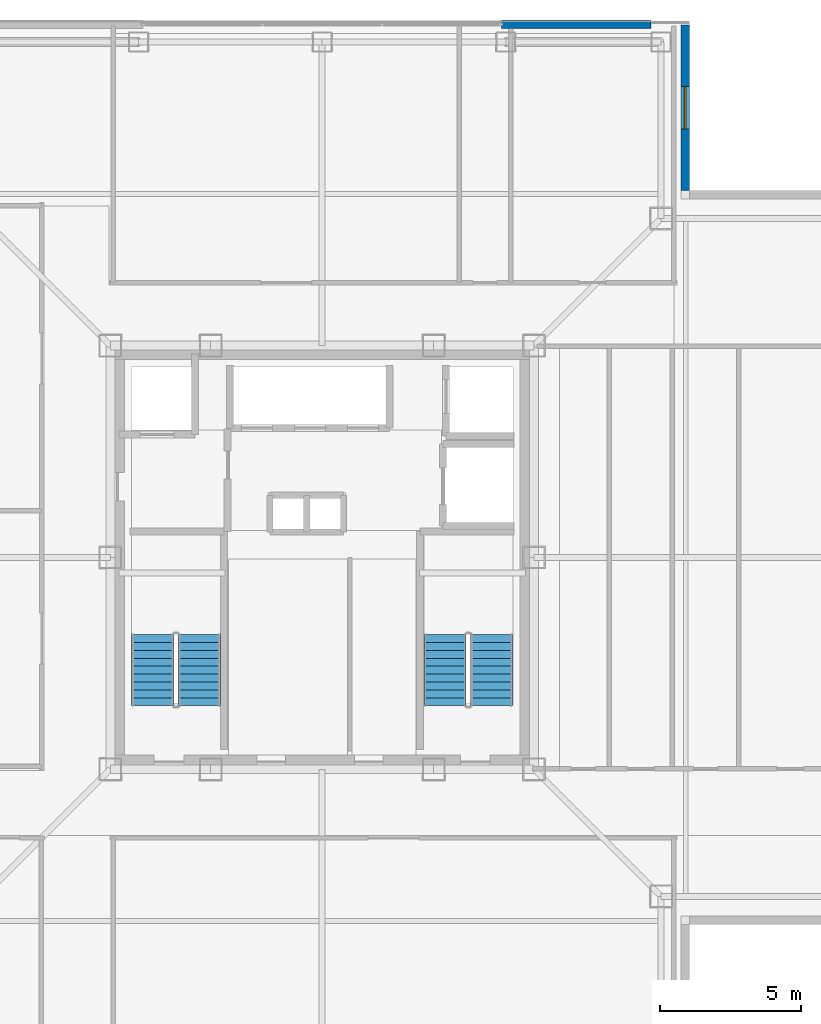
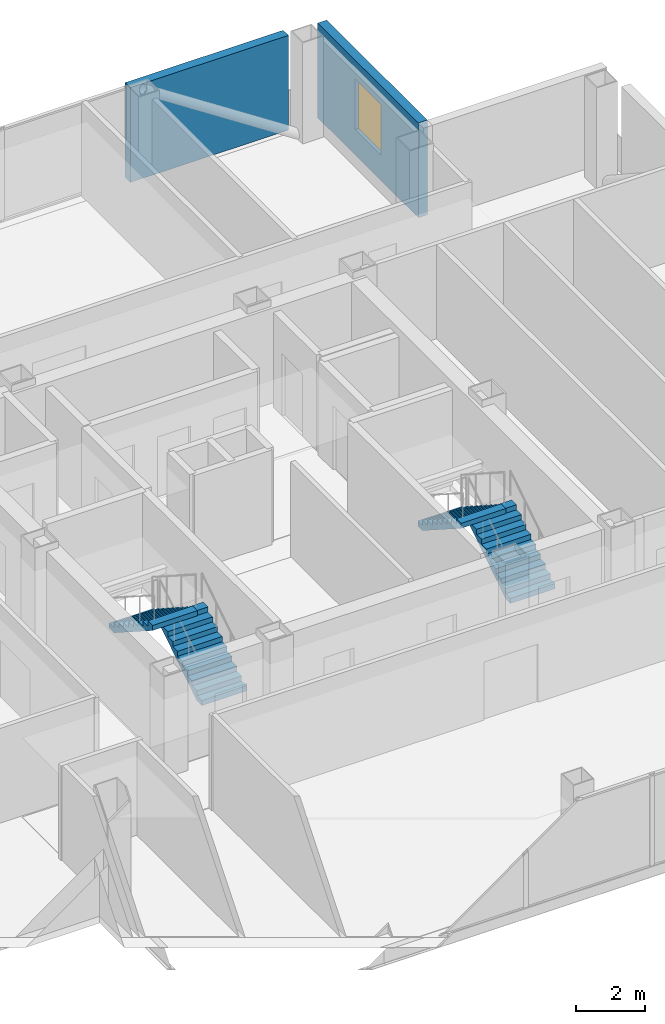
# One storey, part 10 of 16: 4 stair flights, 2 walls, 1 window, 1 opening, 2 elements without a shape of their own.
"""IFC4 building model written with IfcOpenShell, lengths in metres."""

from ifc_helpers import new_model, si_unit, direction, frame, frame_2d, origin, place, context, subcontext, project, spatial, polyline, rectangle, outline, extrude, material, layer, layer_set, type_object, element, fill, aggregate, save


model = new_model("IFC4")

# Units and contexts
model_context = context("Model", 3, precision=1e-05, world=origin(), true_north=direction((0.0, 1.0)))
body_context = subcontext(model_context, "Body", "Model", "MODEL_VIEW")
ifc_project = project(units=[si_unit("LENGTHUNIT", "METRE"), si_unit("AREAUNIT", "SQUARE_METRE"), si_unit("VOLUMEUNIT", "CUBIC_METRE"), si_unit("PLANEANGLEUNIT", "RADIAN"), si_unit("MASSUNIT", "GRAM", prefix="KILO")], contexts=[model_context])

# Site, building, storey
site_placement = place(None, origin())
site = spatial("IfcSite", under=ifc_project, at=site_placement, CompositionType="ELEMENT")
building_placement = place(site_placement, origin())
building = spatial("IfcBuilding", under=site, at=building_placement, Name="Trevonay Congress Spire", CompositionType="ELEMENT")
storey_placement = place(building_placement, frame((0.0, 0.0, 257.60009765625)))
storey = spatial("IfcBuildingStorey", under=building, at=storey_placement, Name="L67", CompositionType="ELEMENT", Elevation=257.60009765625)

# Wall
ifc_material_1 = material(Name="Precast concrete C40/50", Category="concrete")
ifc_layer = layer(ifc_material_1, 0.300048828125, Name="Precast concrete C40/50")
ifc_layer_set = layer_set([ifc_layer], Name="Precast concrete C40/50")
wall_type = type_object("IfcWallType", Name="WAL-EXT-PRECAST-300", PredefinedType="SOLIDWALL", material=ifc_layer_set)
wall_1_placement = place(storey_placement, frame((6.35009765625, 18.8798828125, 0.0), z_axis=(0.0, 0.0, 1.0), x_axis=(1.0, 0.0, 0.0)))
element("IfcWall", 1, at=wall_1_placement, inside=storey, type_object=wall_type, Name="L67 NR braced-bay exterior pier wall", PredefinedType="SOLIDWALL", context=body_context, shape_type="SweptSolid", body=[
    extrude(rectangle(XDim=5.2998046875, YDim=0.300048828125, at=frame_2d((2.64990234375, 0.0))), origin(), (0.0, 0.0, 1.0), 3.35986328125),
])

# Wall, opening, window
wall_2_placement = place(storey_placement, frame((12.85009765625, 18.85009765625, 0.0), z_axis=(0.0, 0.0, 1.0), x_axis=(0.0, -1.0, 0.0)))
wall_2 = element("IfcWall", 2, at=wall_2_placement, inside=storey, type_object=wall_type, Name="L67 NE re-entrant notch exterior wall 1", PredefinedType="SOLIDWALL", context=body_context, shape_type="SweptSolid", body=[
    extrude(rectangle(XDim=5.85009765625, YDim=0.300048828125, at=frame_2d((2.925048828125, 0.0))), origin(), (0.0, 0.0, 1.0), 3.35986328125),
])
opening_placement = place(wall_2_placement, frame((2.175048828125, 0.0, 0.89990234375)))
opening = element("IfcOpeningElement", 3, at=opening_placement, cuts=wall_2, Name="Opening WN03", PredefinedType="OPENING", context=body_context, shape_type="SweptSolid", body=[
    extrude(rectangle(XDim=1.5, YDim=1.800048828125, at=frame_2d((0.75, 0.89990234375))), frame((0.0, 0.16015625, 0.0), z_axis=(0.0, -1.0, 0.0), x_axis=(1.0, 0.0, 0.0)), (0.0, 0.0, 1.0), 0.320068359375),
])
ifc_material_2 = material(Name="Insulated Low-E Vision Glass IGU", Category="glass")
window_type = type_object("IfcWindowType", Name="WIN-NOTCH-150X180", PartitioningType="SINGLE_PANEL", PredefinedType="WINDOW", material=ifc_material_2)
window_placement = place(opening_placement, origin())
window = element("IfcWindow", 4, at=window_placement, inside=storey, type_object=window_type, Name="L67 NE corner notch window", OverallHeight=1.800048828125, OverallWidth=1.5, PartitioningType="SINGLE_PANEL", PredefinedType="WINDOW", context=body_context, shape_type="SweptSolid", body=[
    extrude(rectangle(XDim=1.5, YDim=1.800048828125, at=frame_2d((0.75, 0.89990234375))), frame((0.0, 0.030029296875, 0.0), z_axis=(0.0, -1.0, 0.0), x_axis=(1.0, 0.0, 0.0)), (0.0, 0.0, 1.0), 0.06005859375),
])
fill(opening, window)

# Stair, stair flights
ifc_material_3 = material(Name="Concrete C40/50", Category="concrete")
stair_type_1 = type_object("IfcStairType", Name="STR-ST-1", PredefinedType="HALF_TURN_STAIR", material=ifc_material_3)
stair_1_placement = place(storey_placement, origin())
stair_1 = element("IfcStair", 5, at=stair_1_placement, inside=storey, type_object=stair_type_1, Name="L67 Protected Exit Stair ST-1", PredefinedType="HALF_TURN_STAIR")
stair_flight_type_1 = type_object("IfcStairFlightType", Name="SFL-ST-1", PredefinedType="STRAIGHT", material=ifc_material_3)
stair_flight_1_placement = place(storey_placement, frame((-4.35009765625, -5.25, 0.0), z_axis=(0.0, 0.0, 1.0), x_axis=(0.0, 1.0, 0.0)))
stair_flight_1 = element("IfcStairFlight", 6, at=stair_flight_1_placement, type_object=stair_flight_type_1, Name="ST-1 flight 1", NumberOfRisers=10, NumberOfTreads=9, PredefinedType="STRAIGHT", RiserHeight=0.18, TreadLength=0.28, context=body_context, shape_type="SweptSolid", body=[
    extrude(outline(polyline([(0.0, 0.0), (0.0, 0.179931640625), (0.280029296875, 0.179931640625), (0.280029296875, 0.360107421875), (0.56005859375, 0.360107421875), (0.56005859375, 0.5400390625), (0.840087890625, 0.5400390625), (0.840087890625, 0.719970703125), (1.1201171875, 0.719970703125), (1.1201171875, 0.89990234375), (1.39990234375, 0.89990234375), (1.39990234375, 1.080078125), (1.679931640625, 1.080078125), (1.679931640625, 1.260009765625), (1.9599609375, 1.260009765625), (1.9599609375, 1.43994140625), (2.239990234375, 1.43994140625), (2.239990234375, 1.6201171875), (2.52001953125, 1.6201171875), (2.52001953125, 1.800048828125), (2.52001953125, 1.44189453125), (0.277099609375, 0.0), (0.0, 0.0)])), frame((0.0, 0.75, 0.0), z_axis=(0.0, -1.0, 0.0), x_axis=(1.0, 0.0, 0.0)), (0.0, 0.0, 1.0), 1.5),
])
stair_flight_2_placement = place(storey_placement, frame((-6.0, -2.72998046875, 1.7998046875), z_axis=(0.0, 0.0, 1.0), x_axis=(0.0, -1.0, 0.0)))
stair_flight_2 = element("IfcStairFlight", 7, at=stair_flight_2_placement, type_object=stair_flight_type_1, Name="ST-1 flight 2", NumberOfRisers=10, NumberOfTreads=9, PredefinedType="STRAIGHT", RiserHeight=0.18, TreadLength=0.28, context=body_context, shape_type="SweptSolid", body=[
    extrude(outline(polyline([(0.0, 0.0), (0.0, 0.179931640625), (0.280029296875, 0.179931640625), (0.280029296875, 0.360107421875), (0.56005859375, 0.360107421875), (0.56005859375, 0.5400390625), (0.840087890625, 0.5400390625), (0.840087890625, 0.719970703125), (1.1201171875, 0.719970703125), (1.1201171875, 0.89990234375), (1.39990234375, 0.89990234375), (1.39990234375, 1.080078125), (1.679931640625, 1.080078125), (1.679931640625, 1.260009765625), (1.9599609375, 1.260009765625), (1.9599609375, 1.43994140625), (2.239990234375, 1.43994140625), (2.239990234375, 1.6201171875), (2.52001953125, 1.6201171875), (2.52001953125, 1.800048828125), (2.52001953125, 1.44189453125), (0.277099609375, 0.0), (0.0, 0.0)])), frame((0.0, 0.75, 0.0), z_axis=(0.0, -1.0, 0.0), x_axis=(1.0, 0.0, 0.0)), (0.0, 0.0, 1.0), 1.5),
])
aggregate(stair_1, [stair_flight_1, stair_flight_2])

stair_type_2 = type_object("IfcStairType", Name="STR-ST-2", PredefinedType="HALF_TURN_STAIR", material=ifc_material_3)
stair_2_placement = place(storey_placement, origin())
stair_2 = element("IfcStair", 8, at=stair_2_placement, inside=storey, type_object=stair_type_2, Name="L67 Protected Exit Stair ST-2", PredefinedType="HALF_TURN_STAIR")
stair_flight_type_2 = type_object("IfcStairFlightType", Name="SFL-ST-2", PredefinedType="STRAIGHT", material=ifc_material_3)
stair_flight_3_placement = place(storey_placement, frame((6.0, -5.25, 0.0), z_axis=(0.0, 0.0, 1.0), x_axis=(0.0, 1.0, 0.0)))
stair_flight_3 = element("IfcStairFlight", 9, at=stair_flight_3_placement, type_object=stair_flight_type_2, Name="ST-2 flight 1", NumberOfRisers=10, NumberOfTreads=9, PredefinedType="STRAIGHT", RiserHeight=0.18, TreadLength=0.28, context=body_context, shape_type="SweptSolid", body=[
    extrude(outline(polyline([(0.0, 0.0), (0.0, 0.179931640625), (0.280029296875, 0.179931640625), (0.280029296875, 0.360107421875), (0.56005859375, 0.360107421875), (0.56005859375, 0.5400390625), (0.840087890625, 0.5400390625), (0.840087890625, 0.719970703125), (1.1201171875, 0.719970703125), (1.1201171875, 0.89990234375), (1.39990234375, 0.89990234375), (1.39990234375, 1.080078125), (1.679931640625, 1.080078125), (1.679931640625, 1.260009765625), (1.9599609375, 1.260009765625), (1.9599609375, 1.43994140625), (2.239990234375, 1.43994140625), (2.239990234375, 1.6201171875), (2.52001953125, 1.6201171875), (2.52001953125, 1.800048828125), (2.52001953125, 1.44189453125), (0.277099609375, 0.0), (0.0, 0.0)])), frame((0.0, 0.75, 0.0), z_axis=(0.0, -1.0, 0.0), x_axis=(1.0, 0.0, 0.0)), (0.0, 0.0, 1.0), 1.5),
])
stair_flight_4_placement = place(storey_placement, frame((4.35009765625, -2.72998046875, 1.7998046875), z_axis=(0.0, 0.0, 1.0), x_axis=(0.0, -1.0, 0.0)))
stair_flight_4 = element("IfcStairFlight", 10, at=stair_flight_4_placement, type_object=stair_flight_type_2, Name="ST-2 flight 2", NumberOfRisers=10, NumberOfTreads=9, PredefinedType="STRAIGHT", RiserHeight=0.18, TreadLength=0.28, context=body_context, shape_type="SweptSolid", body=[
    extrude(outline(polyline([(0.0, 0.0), (0.0, 0.179931640625), (0.280029296875, 0.179931640625), (0.280029296875, 0.360107421875), (0.56005859375, 0.360107421875), (0.56005859375, 0.5400390625), (0.840087890625, 0.5400390625), (0.840087890625, 0.719970703125), (1.1201171875, 0.719970703125), (1.1201171875, 0.89990234375), (1.39990234375, 0.89990234375), (1.39990234375, 1.080078125), (1.679931640625, 1.080078125), (1.679931640625, 1.260009765625), (1.9599609375, 1.260009765625), (1.9599609375, 1.43994140625), (2.239990234375, 1.43994140625), (2.239990234375, 1.6201171875), (2.52001953125, 1.6201171875), (2.52001953125, 1.800048828125), (2.52001953125, 1.44189453125), (0.277099609375, 0.0), (0.0, 0.0)])), frame((0.0, 0.75, 0.0), z_axis=(0.0, -1.0, 0.0), x_axis=(1.0, 0.0, 0.0)), (0.0, 0.0, 1.0), 1.5),
])
aggregate(stair_2, [stair_flight_3, stair_flight_4])

save(model, "model.ifc")
